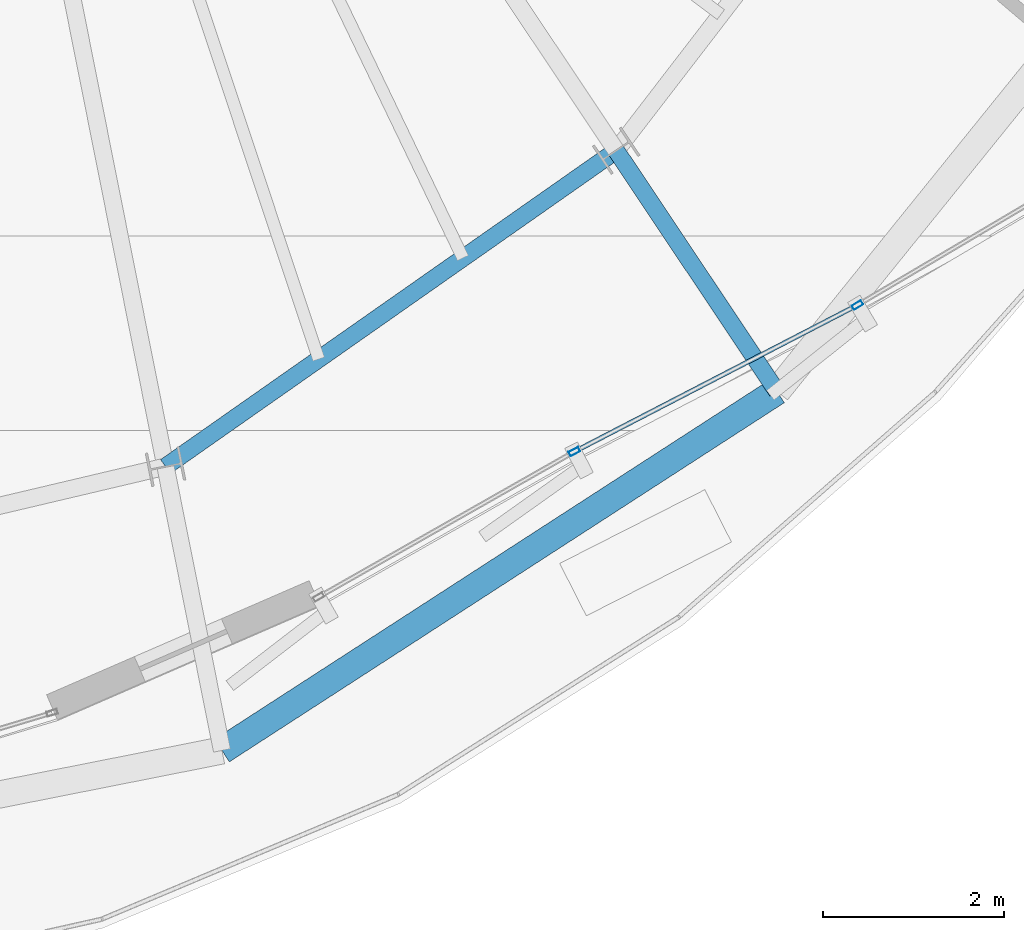
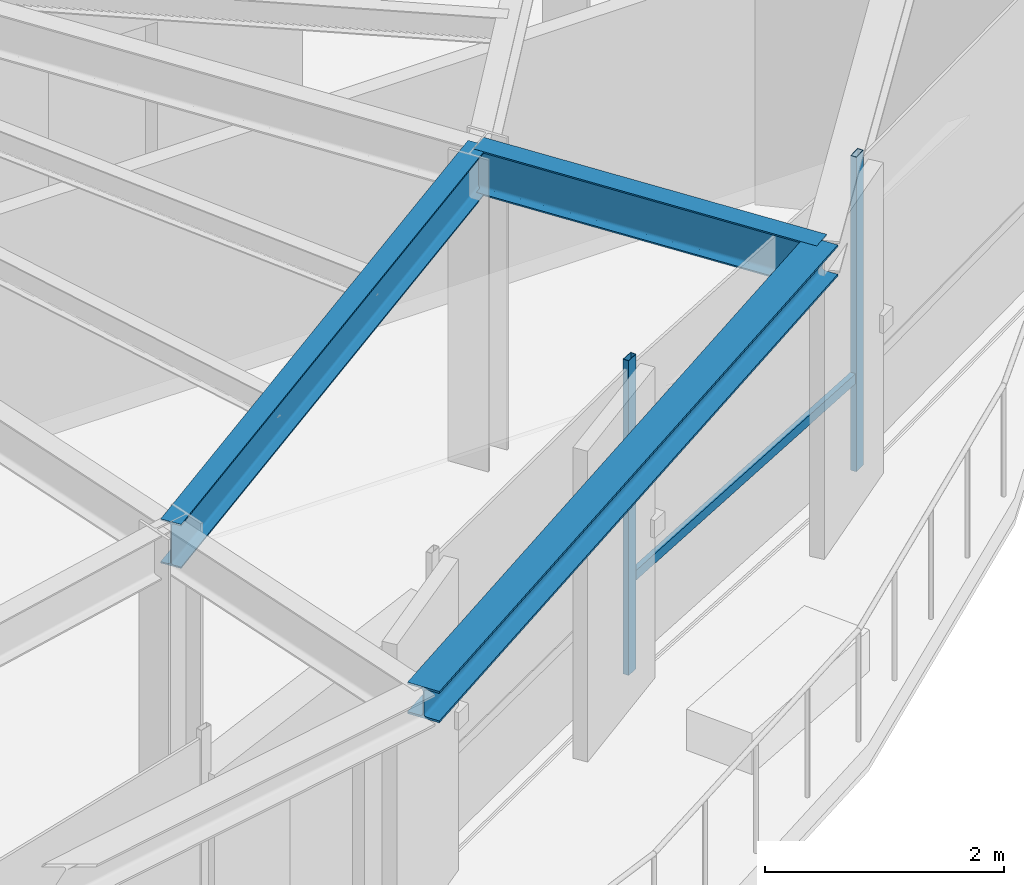
# One storey, part 7 of 31: 3 beams, 3 members, 1 element without a shape of its own.
"""IFC4 building model written with IfcOpenShell, lengths in metres."""

from ifc_helpers import new_model, si_unit, direction, frame, origin, origin_2d, place, context, subcontext, project, spatial, hollow_rectangle, i_section, extrude, source, transform, mapped, material, layer, layer_set, material_profile, profile_set, type_object, element, aggregate, save


model = new_model("IFC4")

# Units and contexts
model_context = context("Model", 3, precision=1e-05, world=origin(), true_north=direction((0.0, 1.0)))
body_context = subcontext(model_context, "Body", "Model", "MODEL_VIEW")
ifc_project = project(units=[si_unit("LENGTHUNIT", "METRE"), si_unit("AREAUNIT", "SQUARE_METRE"), si_unit("VOLUMEUNIT", "CUBIC_METRE"), si_unit("PLANEANGLEUNIT", "RADIAN"), si_unit("MASSUNIT", "GRAM", prefix="KILO"), si_unit("THERMODYNAMICTEMPERATUREUNIT", "KELVIN")], contexts=[model_context])

# Site, building, storey
site_placement = place(None, origin())
site = spatial("IfcSite", under=ifc_project, at=site_placement, CompositionType="ELEMENT")
building_placement = place(site_placement, origin())
building = spatial("IfcBuilding", under=site, at=building_placement, Name="Kethvar Cultural Tower", CompositionType="ELEMENT")
storey_placement = place(building_placement, frame((0.0, 0.0, 283.60009765625)))
storey = spatial("IfcBuildingStorey", under=building, at=storey_placement, Name="L75", CompositionType="ELEMENT", Elevation=283.60009765625)

# Beams
ifc_material_1 = material(Name="Steel S355J2", Category="steel")
ifc_material_profile_1 = material_profile(ifc_material_1, i_section(OverallWidth=0.18994140625, OverallDepth=0.449951171875, WebThickness=0.009521484375, FlangeThickness=0.0146484375, FilletRadius=0.02099609375, at=origin_2d()), Name="Steel S355J2 — IPE450")
ifc_profile_set_1 = profile_set([ifc_material_profile_1], Name="Steel S355J2 — IPE450")
beam_type_1 = type_object("IfcBeamType", Name="BM-IPE450", PredefinedType="BEAM", material=ifc_profile_set_1)
shared_shape_1 = source(origin(), body_context, "Body", "SweptSolid", [
    extrude(i_section(OverallWidth=0.18994140625, OverallDepth=0.449951171875, WebThickness=0.009521484375, FlangeThickness=0.0146484375, FilletRadius=0.02099609375, at=origin_2d()), origin(), (0.0, 0.0, 1.0), 3.199951171875),
])
beam_1_placement = place(storey_placement, frame((54.885009765625, 15.7001953125, 2.98291015625), z_axis=(0.555492222339, -0.83152173208, 0.0), x_axis=(0.83152173208, 0.555492222339, 0.0)))
element("IfcBeam", 1, at=beam_1_placement, inside=storey, type_object=beam_type_1, Name="L75 Perimeter Cantilever Beam RC-14", PredefinedType="BEAM", context=body_context, shape_type="MappedRepresentation", body=[
    mapped(shared_shape_1, transform((0.0, 0.0, 0.0), scale=1.0)),
])
shared_shape_2 = source(origin(), body_context, "Body", "SweptSolid", [
    extrude(i_section(OverallWidth=0.18994140625, OverallDepth=0.449951171875, WebThickness=0.009521484375, FlangeThickness=0.0146484375, FilletRadius=0.02099609375, at=origin_2d()), origin(), (0.0, 0.0, 1.0), 6.0859375),
])
beam_2_placement = place(storey_placement, frame((49.901611328125, 12.206787109375, 2.98291015625), z_axis=(0.818843498091, 0.57401683393, 0.0), x_axis=(-0.57401683393, 0.818843498091, 0.0)))
element("IfcBeam", 2, at=beam_2_placement, inside=storey, type_object=beam_type_1, Name="L75 Column Ring Tie Beam CR-13", PredefinedType="BEAM", context=body_context, shape_type="MappedRepresentation", body=[
    mapped(shared_shape_2, transform((0.0, 0.0, 0.0), scale=1.0)),
])
ifc_material_profile_2 = material_profile(ifc_material_1, i_section(OverallWidth=0.300048828125, OverallDepth=0.320068359375, WebThickness=0.011474609375, FlangeThickness=0.0205078125, FilletRadius=0.027099609375, at=origin_2d()), Name="Steel S355J2 — HEB320")
ifc_profile_set_2 = profile_set([ifc_material_profile_2], Name="Steel S355J2 — HEB320")
beam_type_2 = type_object("IfcBeamType", Name="BM-SP320", PredefinedType="SPANDREL", material=ifc_profile_set_2)
shared_shape_3 = source(origin(), body_context, "Body", "SweptSolid", [
    extrude(i_section(OverallWidth=0.300048828125, OverallDepth=0.320068359375, WebThickness=0.011474609375, FlangeThickness=0.0205078125, FilletRadius=0.027099609375, at=origin_2d()), origin(), (0.0, 0.0, 1.0), 7.309326171875),
])
beam_3_placement = place(storey_placement, frame((50.52587890625, 9.068359375, 3.0478515625), z_axis=(0.839562091992, 0.543263742292, 0.0), x_axis=(-0.543263742292, 0.839562091992, 0.0)))
element("IfcBeam", 3, at=beam_3_placement, inside=storey, type_object=beam_type_2, Name="L75 Perimeter Spandrel Beam SP-13", PredefinedType="SPANDREL", context=body_context, shape_type="MappedRepresentation", body=[
    mapped(shared_shape_3, transform((0.0, 0.0, 0.0), scale=1.0)),
])

# Curtain wall, members
ifc_material_2 = material(Name="Aluminium 6063-T6", Category="aluminium")
ifc_layer = layer(ifc_material_2, 0.179931640625, Name="Aluminium 6063-T6", Category="aluminium")
ifc_layer_set = layer_set([ifc_layer], Name="Aluminium 6063-T6 (180 mm)")
curtain_wall_type = type_object("IfcCurtainWallType", Name="CW-SYS-05-Z56", PredefinedType="NOTDEFINED", material=ifc_layer_set)
curtain_wall_placement = place(storey_placement, origin())
curtain_wall = element("IfcCurtainWall", 4, at=curtain_wall_placement, inside=storey, type_object=curtain_wall_type, Name="L75 Curtain Wall Run 05", PredefinedType="NOTDEFINED")
ifc_material_profile_3 = material_profile(ifc_material_2, hollow_rectangle(XDim=0.054931640625, YDim=0.1201171875, WallThickness=0.00390625, at=origin_2d()), Name="Aluminium 6063-T6 — RHS120x55x4")
ifc_profile_set_3 = profile_set([ifc_material_profile_3], Name="Aluminium 6063-T6 — RHS120x55x4")
member_type_1 = type_object("IfcMemberType", Name="CW-SYS-05-Z56-MUL", PredefinedType="MULLION", material=ifc_profile_set_3)
shared_shape_4 = source(origin(), body_context, "Body", "SweptSolid", [
    extrude(hollow_rectangle(XDim=0.054931640625, YDim=0.1201171875, WallThickness=0.00390625, at=origin_2d()), origin(), (0.0, 0.0, 1.0), 3.2099609375),
])
member_1_placement = place(storey_placement, frame((54.4228515625, 12.372314453125, 0.0), z_axis=(0.0, 0.0, 1.0), x_axis=(-0.459781360558, 0.888032150591, 0.0)))
member_1 = element("IfcMember", 5, at=member_1_placement, type_object=member_type_1, Name="CW-L75-R05 Mullion 2", PredefinedType="MULLION", context=body_context, shape_type="MappedRepresentation", body=[
    mapped(shared_shape_4, transform((0.0, 0.0, 0.0), scale=1.0)),
])
member_2_placement = place(storey_placement, frame((57.552978515625, 13.992919921875, 0.0), z_axis=(0.0, 0.0, 1.0), x_axis=(-0.508650771011, 0.860972934041, 0.0)))
member_2 = element("IfcMember", 6, at=member_2_placement, type_object=member_type_1, Name="CW-L75-R05 Mullion 3", PredefinedType="MULLION", context=body_context, shape_type="MappedRepresentation", body=[
    mapped(shared_shape_4, transform((0.0, 0.0, 0.0), scale=1.0)),
])
ifc_material_profile_4 = material_profile(ifc_material_2, hollow_rectangle(XDim=0.050048828125, YDim=0.10009765625, WallThickness=0.00390625, at=origin_2d()), Name="Aluminium 6063-T6 — RHS100x50x4")
ifc_profile_set_4 = profile_set([ifc_material_profile_4], Name="Aluminium 6063-T6 — RHS100x50x4")
member_type_2 = type_object("IfcMemberType", Name="CW-SYS-05-Z56-TRN", PredefinedType="USERDEFINED", material=ifc_profile_set_4)
shared_shape_5 = source(origin(), body_context, "Body", "SweptSolid", [
    extrude(hollow_rectangle(XDim=0.050048828125, YDim=0.10009765625, WallThickness=0.00390625, at=origin_2d()), origin(), (0.0, 0.0, 1.0), 3.451416015625),
])
member_3_placement = place(storey_placement, frame((54.4580078125, 12.390380859375, 0.949951171875), z_axis=(0.888028450101, 0.459788507699, 0.0), x_axis=(-0.459788507699, 0.888028450101, 0.0)))
member_3 = element("IfcMember", 7, at=member_3_placement, type_object=member_type_2, Name="CW-L75-R05 Transom 2", ObjectType="TRANSOM", PredefinedType="USERDEFINED", context=body_context, shape_type="MappedRepresentation", body=[
    mapped(shared_shape_5, transform((0.0, 0.0, 0.0), scale=1.0)),
])
aggregate(curtain_wall, [member_1, member_2, member_3])

save(model, "model.ifc")
